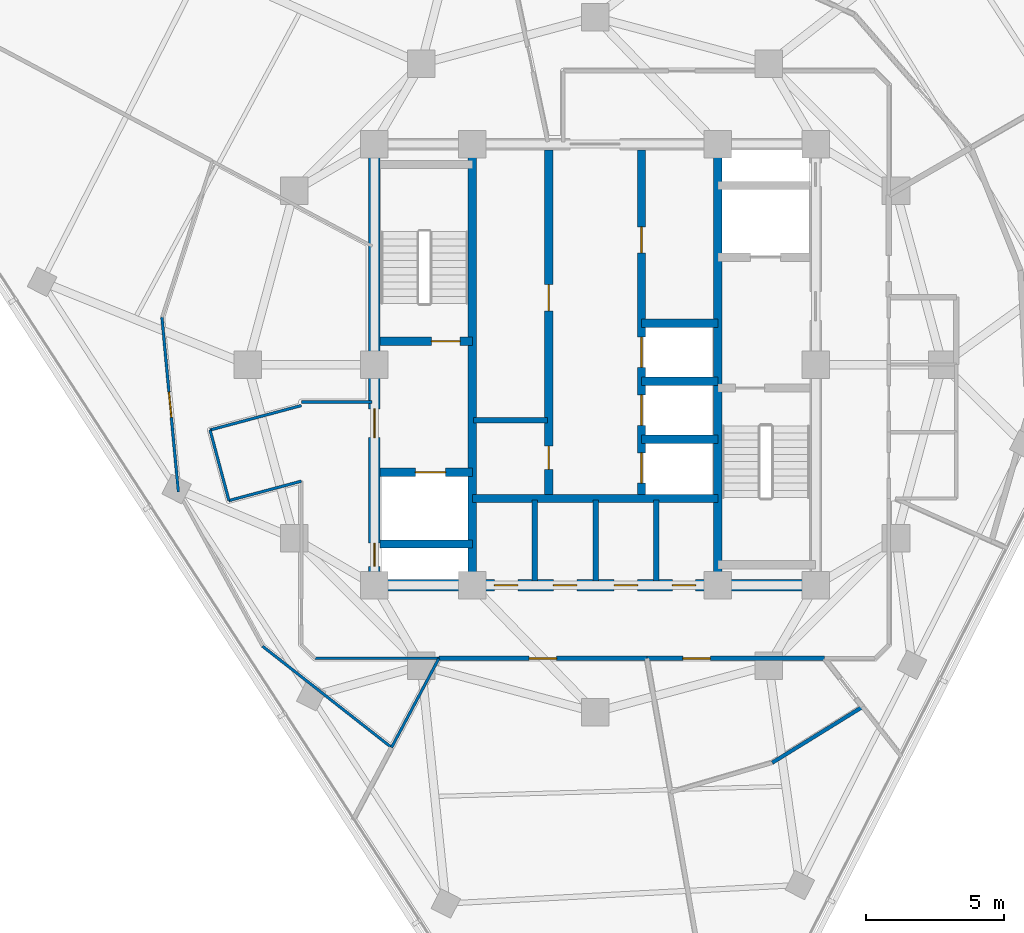
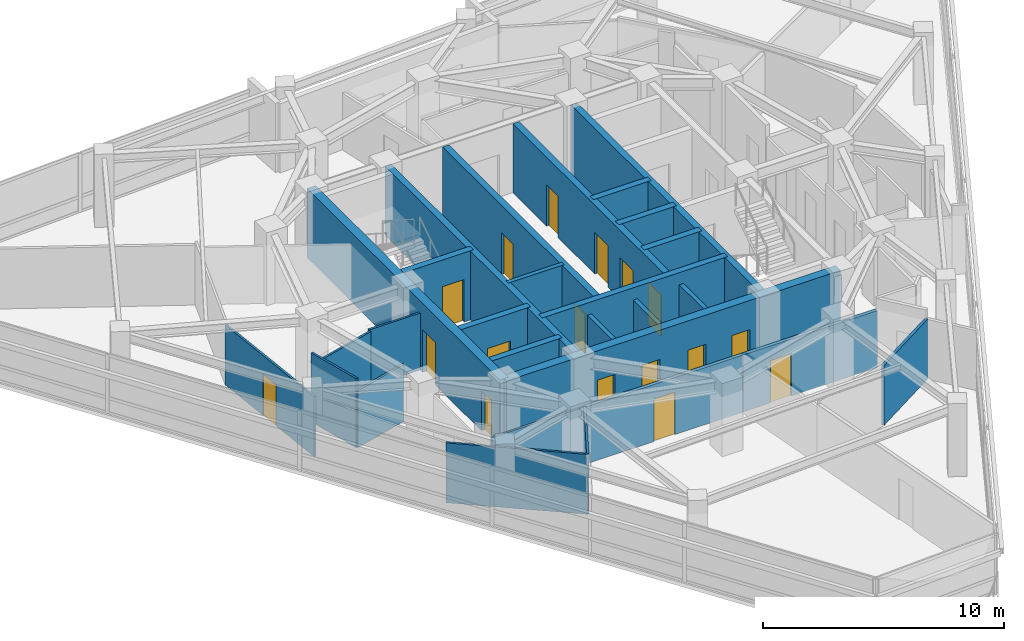
# One storey, part 8 of 15: 28 walls, 17 doors, 17 openings.
"""IFC4 building model written with IfcOpenShell, lengths in metres."""

from ifc_helpers import new_model, si_unit, direction, frame, frame_2d, origin, place, context, subcontext, project, spatial, rectangle, extrude, material, layer, layer_set, type_object, element, fill, save


model = new_model("IFC4")

# Units and contexts
model_context = context("Model", 3, precision=1e-05, world=origin(), true_north=direction((0.0, 1.0)))
body_context = subcontext(model_context, "Body", "Model", "MODEL_VIEW")
ifc_project = project(units=[si_unit("LENGTHUNIT", "METRE"), si_unit("AREAUNIT", "SQUARE_METRE"), si_unit("VOLUMEUNIT", "CUBIC_METRE"), si_unit("PLANEANGLEUNIT", "RADIAN"), si_unit("MASSUNIT", "GRAM", prefix="KILO")], contexts=[model_context])

# Site, building, storey
site_placement = place(None, origin())
site = spatial("IfcSite", under=ifc_project, at=site_placement, CompositionType="ELEMENT")
building_placement = place(site_placement, origin())
building = spatial("IfcBuilding", under=site, at=building_placement, Name="Terralouvre Media Tower", CompositionType="ELEMENT")
storey_placement = place(building_placement, frame((0.0, 0.0, 270.699951171875)))
storey = spatial("IfcBuildingStorey", under=building, at=storey_placement, Name="L70", CompositionType="ELEMENT", Elevation=270.699951171875)

# Walls
ifc_material_1 = material(Name="Concrete C50/60", Category="concrete")
ifc_layer_1 = layer(ifc_material_1, 0.300048828125, Name="Core Internal Shaft Wall CW-300")
ifc_layer_set_1 = layer_set([ifc_layer_1], Name="Concrete C50/60")
wall_type_1 = type_object("IfcWallType", Name="Core Internal Shaft Wall CW-300", PredefinedType="SHEAR", material=ifc_layer_set_1)
for number, where, z_axis, x_axis, name in (
    (1, (-4.449951171875, -7.7900390625, 0.0), (0.0, 0.0, 1.0), (0.0, 1.0, 0.0), "L70 Core Shaft Wall SPW"),
    (2, (4.449951171875, -7.7900390625, 0.0), (0.0, 0.0, 1.0), (0.0, 1.0, 0.0), "L70 Core Shaft Wall SPE"),
):
    element("IfcWall", number, at=place(storey_placement, frame(where, z_axis=z_axis, x_axis=x_axis)), inside=storey, type_object=wall_type_1, Name=name, PredefinedType="SHEAR", context=body_context, shape_type="SweptSolid", body=[
        extrude(rectangle(XDim=15.580078125, YDim=0.300048828125, at=frame_2d((7.7900390625, 0.0))), origin(), (0.0, 0.0, 1.0), 3.5),
    ])

# Wall, opening, door
wall_1_placement = place(storey_placement, frame((-7.7900390625, 0.85009765625, 0.0), z_axis=(0.0, 0.0, 1.0), x_axis=(1.0, 0.0, 0.0)))
wall_1 = element("IfcWall", 3, at=wall_1_placement, inside=storey, type_object=wall_type_1, Name="L70 Core Shaft Wall ST1D", PredefinedType="SHEAR", context=body_context, shape_type="SweptSolid", body=[
    extrude(rectangle(XDim=3.340087890625, YDim=0.300048828125, at=frame_2d((1.669921875, 0.0))), origin(), (0.0, 0.0, 1.0), 3.5),
])
opening_1_placement = place(wall_1_placement, frame((1.85009765625, 0.0, 0.0)))
opening_1 = element("IfcOpeningElement", 4, at=opening_1_placement, cuts=wall_1, Name="Opening FD-01-105X215", PredefinedType="OPENING", context=body_context, shape_type="SweptSolid", body=[
    extrude(rectangle(XDim=1.050048828125, YDim=2.14990234375, at=frame_2d((0.52490234375, 1.074951171875))), frame((0.0, 0.159912109375, 0.0), z_axis=(0.0, -1.0, 0.0), x_axis=(1.0, 0.0, 0.0)), (0.0, 0.0, 1.0), 0.320068359375),
])
ifc_material_2 = material(Name="Galvanised steel fire-resisting leaf", Category="steel")
door_type_1 = type_object("IfcDoorType", Name="Stair and Firefighting Lobby Fire Door FD-01 (1050x2150)", OperationType="NOTDEFINED", PredefinedType="DOOR", material=ifc_material_2)
door_1_placement = place(opening_1_placement, origin())
door_1 = element("IfcDoor", 5, at=door_1_placement, inside=storey, type_object=door_type_1, Name="L70 ST-01 Exit Stair Door", OperationType="SINGLE_SWING_LEFT", OverallHeight=2.14990234375, OverallWidth=1.050048828125, PredefinedType="DOOR", context=body_context, shape_type="SweptSolid", body=[
    extrude(rectangle(XDim=1.050048828125, YDim=2.14990234375, at=frame_2d((0.52490234375, 1.074951171875))), frame((0.0, 0.02490234375, 0.0), z_axis=(0.0, -1.0, 0.0), x_axis=(1.0, 0.0, 0.0)), (0.0, 0.0, 1.0), 0.050048828125),
])
fill(opening_1, door_1)

wall_2_placement = place(storey_placement, frame((-7.7900390625, -3.89990234375, 0.0), z_axis=(0.0, 0.0, 1.0), x_axis=(1.0, 0.0, 0.0)))
wall_2 = element("IfcWall", 6, at=wall_2_placement, inside=storey, type_object=wall_type_1, Name="L70 Core Shaft Wall FF1N", PredefinedType="SHEAR", context=body_context, shape_type="SweptSolid", body=[
    extrude(rectangle(XDim=3.340087890625, YDim=0.300048828125, at=frame_2d((1.669921875, 0.0))), origin(), (0.0, 0.0, 1.0), 3.5),
])
opening_2_placement = place(wall_2_placement, frame((1.27001953125, 0.0, 0.0)))
opening_2 = element("IfcOpeningElement", 7, at=opening_2_placement, cuts=wall_2, Name="Opening LD-FF", PredefinedType="OPENING", context=body_context, shape_type="SweptSolid", body=[
    extrude(rectangle(XDim=1.10009765625, YDim=2.10009765625, at=frame_2d((0.550048828125, 1.050048828125))), frame((0.0, 0.159912109375, 0.0), z_axis=(0.0, -1.0, 0.0), x_axis=(1.0, 0.0, 0.0)), (0.0, 0.0, 1.0), 0.320068359375),
])
ifc_material_3 = material(Name="Stainless steel 316 handrail and balustrade", Category="steel")
door_type_2 = type_object("IfcDoorType", Name="Firefighting Lift Sliding Landing Door LD-FF", OperationType="SLIDING_TO_LEFT", PredefinedType="DOOR", material=ifc_material_3)
door_2_placement = place(opening_2_placement, origin())
door_2 = element("IfcDoor", 8, at=door_2_placement, inside=storey, type_object=door_type_2, Name="L70 Firefighting Lift FFL-01 Landing Door", OperationType="SLIDING_TO_LEFT", OverallHeight=2.10009765625, OverallWidth=1.10009765625, PredefinedType="DOOR", context=body_context, shape_type="SweptSolid", body=[
    extrude(rectangle(XDim=1.10009765625, YDim=2.10009765625, at=frame_2d((0.550048828125, 1.050048828125))), frame((0.0, 0.02490234375, 0.0), z_axis=(0.0, -1.0, 0.0), x_axis=(1.0, 0.0, 0.0)), (0.0, 0.0, 1.0), 0.050048828125),
])
fill(opening_2, door_2)

# Walls
wall_3_placement = place(storey_placement, frame((-7.7900390625, -6.5, 0.0), z_axis=(0.0, 0.0, 1.0), x_axis=(1.0, 0.0, 0.0)))
element("IfcWall", 9, at=wall_3_placement, inside=storey, type_object=wall_type_1, Name="L70 Core Shaft Wall FF1S", PredefinedType="SHEAR", context=body_context, shape_type="SweptSolid", body=[
    extrude(rectangle(XDim=3.340087890625, YDim=0.300048828125, at=frame_2d((1.669921875, 0.0))), origin(), (0.0, 0.0, 1.0), 3.5),
])
wall_4_placement = place(storey_placement, frame((-4.449951171875, -4.85009765625, 0.0), z_axis=(0.0, 0.0, 1.0), x_axis=(1.0, 0.0, 0.0)))
element("IfcWall", 10, at=wall_4_placement, inside=storey, type_object=wall_type_1, Name="L70 Core Shaft Wall CSBN", PredefinedType="SHEAR", context=body_context, shape_type="SweptSolid", body=[
    extrude(rectangle(XDim=8.89990234375, YDim=0.300048828125, at=frame_2d((4.449951171875, 0.0))), origin(), (0.0, 0.0, 1.0), 3.5),
])

# Wall, openings, doors
wall_5_placement = place(storey_placement, frame((-1.679931640625, -4.85009765625, 0.0), z_axis=(0.0, 0.0, 1.0), x_axis=(0.0, 1.0, 0.0)))
wall_5 = element("IfcWall", 11, at=wall_5_placement, inside=storey, type_object=wall_type_1, Name="L70 Core Shaft Wall LBW", PredefinedType="SHEAR", context=body_context, shape_type="SweptSolid", body=[
    extrude(rectangle(XDim=12.64013671875, YDim=0.300048828125, at=frame_2d((6.320068359375, 0.0))), origin(), (0.0, 0.0, 1.0), 3.5),
])
opening_3_placement = place(wall_5_placement, frame((1.050048828125, 0.0, 0.0)))
opening_3 = element("IfcOpeningElement", 12, at=opening_3_placement, cuts=wall_5, Name="Opening TD-R1", PredefinedType="OPENING", context=body_context, shape_type="SweptSolid", body=[
    extrude(rectangle(XDim=0.85009765625, YDim=2.02001953125, at=frame_2d((0.425048828125, 1.010009765625))), frame((0.0, 0.159912109375, 0.0), z_axis=(0.0, -1.0, 0.0), x_axis=(1.0, 0.0, 0.0)), (0.0, 0.0, 1.0), 0.320068359375),
])
opening_4_placement = place(wall_5_placement, frame((6.800048828125, 0.0, 0.0)))
opening_4 = element("IfcOpeningElement", 13, at=opening_4_placement, cuts=wall_5, Name="Opening FD-02-95X210", PredefinedType="OPENING", context=body_context, shape_type="SweptSolid", body=[
    extrude(rectangle(XDim=0.949951171875, YDim=2.10009765625, at=frame_2d((0.47509765625, 1.050048828125))), frame((0.0, 0.159912109375, 0.0), z_axis=(0.0, -1.0, 0.0), x_axis=(1.0, 0.0, 0.0)), (0.0, 0.0, 1.0), 0.320068359375),
])
ifc_material_4 = material(Name="Galvanised steel fire-resisting leaf", Category="steel")
door_type_3 = type_object("IfcDoorType", Name="Plant and Riser Fire Door FD-02 (950x2100)", OperationType="NOTDEFINED", PredefinedType="DOOR", material=ifc_material_4)
door_3_placement = place(opening_4_placement, origin())
door_3 = element("IfcDoor", 14, at=door_3_placement, inside=storey, type_object=door_type_3, Name="L70 Core Patch Rack Plant Door", OperationType="SINGLE_SWING_RIGHT", OverallHeight=2.10009765625, OverallWidth=0.949951171875, PredefinedType="DOOR", context=body_context, shape_type="SweptSolid", body=[
    extrude(rectangle(XDim=0.949951171875, YDim=2.10009765625, at=frame_2d((0.47509765625, 1.050048828125))), frame((0.0, 0.02490234375, 0.0), z_axis=(0.0, -1.0, 0.0), x_axis=(1.0, 0.0, 0.0)), (0.0, 0.0, 1.0), 0.050048828125),
])
fill(opening_4, door_3)
ifc_material_5 = material(Name="Galvanised steel fire-resisting leaf", Category="steel")
door_type_4 = type_object("IfcDoorType", Name="Riser Inspection Access Trapdoor TD-R1", OperationType="NOTDEFINED", PredefinedType="TRAPDOOR", material=ifc_material_5)
door_4_placement = place(opening_3_placement, origin())
door_4 = element("IfcDoor", 15, at=door_4_placement, inside=storey, type_object=door_type_4, Name="L70 Core Cleaners Store Door", OperationType="SINGLE_SWING_LEFT", OverallHeight=2.02001953125, OverallWidth=0.85009765625, PredefinedType="TRAPDOOR", context=body_context, shape_type="SweptSolid", body=[
    extrude(rectangle(XDim=0.85009765625, YDim=2.02001953125, at=frame_2d((0.425048828125, 1.010009765625))), frame((0.0, 0.02490234375, 0.0), z_axis=(0.0, -1.0, 0.0), x_axis=(1.0, 0.0, 0.0)), (0.0, 0.0, 1.0), 0.050048828125),
])
fill(opening_3, door_4)

wall_6_placement = place(storey_placement, frame((1.679931640625, -4.85009765625, 0.0), z_axis=(0.0, 0.0, 1.0), x_axis=(0.0, 1.0, 0.0)))
wall_6 = element("IfcWall", 16, at=wall_6_placement, inside=storey, type_object=wall_type_1, Name="L70 Core Shaft Wall LBE", PredefinedType="SHEAR", context=body_context, shape_type="SweptSolid", body=[
    extrude(rectangle(XDim=12.64013671875, YDim=0.300048828125, at=frame_2d((6.320068359375, 0.0))), origin(), (0.0, 0.0, 1.0), 3.5),
])
opening_5_placement = place(wall_6_placement, frame((0.550048828125, 0.0, 0.0)))
opening_5 = element("IfcOpeningElement", 17, at=opening_5_placement, cuts=wall_6, Name="Opening LD-PL", PredefinedType="OPENING", context=body_context, shape_type="SweptSolid", body=[
    extrude(rectangle(XDim=1.10009765625, YDim=2.10009765625, at=frame_2d((0.550048828125, 1.050048828125))), frame((0.0, 0.159912109375, 0.0), z_axis=(0.0, -1.0, 0.0), x_axis=(1.0, 0.0, 0.0)), (0.0, 0.0, 1.0), 0.320068359375),
])
opening_6_placement = place(wall_6_placement, frame((2.64990234375, 0.0, 0.0)))
opening_6 = element("IfcOpeningElement", 18, at=opening_6_placement, cuts=wall_6, Name="Opening LD-PL", PredefinedType="OPENING", context=body_context, shape_type="SweptSolid", body=[
    extrude(rectangle(XDim=1.10009765625, YDim=2.10009765625, at=frame_2d((0.550048828125, 1.050048828125))), frame((0.0, 0.159912109375, 0.0), z_axis=(0.0, -1.0, 0.0), x_axis=(1.0, 0.0, 0.0)), (0.0, 0.0, 1.0), 0.320068359375),
])
opening_7_placement = place(wall_6_placement, frame((4.75, 0.0, 0.0)))
opening_7 = element("IfcOpeningElement", 19, at=opening_7_placement, cuts=wall_6, Name="Opening LD-PL", PredefinedType="OPENING", context=body_context, shape_type="SweptSolid", body=[
    extrude(rectangle(XDim=1.10009765625, YDim=2.10009765625, at=frame_2d((0.550048828125, 1.050048828125))), frame((0.0, 0.159912109375, 0.0), z_axis=(0.0, -1.0, 0.0), x_axis=(1.0, 0.0, 0.0)), (0.0, 0.0, 1.0), 0.320068359375),
])
opening_8_placement = place(wall_6_placement, frame((8.89990234375, 0.0, 0.0)))
opening_8 = element("IfcOpeningElement", 20, at=opening_8_placement, cuts=wall_6, Name="Opening FD-02-95X210", PredefinedType="OPENING", context=body_context, shape_type="SweptSolid", body=[
    extrude(rectangle(XDim=0.949951171875, YDim=2.10009765625, at=frame_2d((0.47509765625, 1.050048828125))), frame((0.0, 0.159912109375, 0.0), z_axis=(0.0, -1.0, 0.0), x_axis=(1.0, 0.0, 0.0)), (0.0, 0.0, 1.0), 0.320068359375),
])
ifc_material_6 = material(Name="Stainless steel 316 handrail and balustrade", Category="steel")
door_type_5 = type_object("IfcDoorType", Name="Passenger Lift Sliding Landing Door LD-PL", OperationType="SLIDING_TO_LEFT", PredefinedType="DOOR", material=ifc_material_6)
door_5_placement = place(opening_5_placement, origin())
door_5 = element("IfcDoor", 21, at=door_5_placement, inside=storey, type_object=door_type_5, Name="L70 High-Rise Lift PL-H1 Landing Door", OperationType="SLIDING_TO_LEFT", OverallHeight=2.10009765625, OverallWidth=1.10009765625, PredefinedType="DOOR", context=body_context, shape_type="SweptSolid", body=[
    extrude(rectangle(XDim=1.10009765625, YDim=2.10009765625, at=frame_2d((0.550048828125, 1.050048828125))), frame((0.0, 0.02490234375, 0.0), z_axis=(0.0, -1.0, 0.0), x_axis=(1.0, 0.0, 0.0)), (0.0, 0.0, 1.0), 0.050048828125),
])
fill(opening_5, door_5)
door_6_placement = place(opening_6_placement, origin())
door_6 = element("IfcDoor", 22, at=door_6_placement, inside=storey, type_object=door_type_5, Name="L70 High-Rise Lift PL-H2 Landing Door", OperationType="SLIDING_TO_LEFT", OverallHeight=2.10009765625, OverallWidth=1.10009765625, PredefinedType="DOOR", context=body_context, shape_type="SweptSolid", body=[
    extrude(rectangle(XDim=1.10009765625, YDim=2.10009765625, at=frame_2d((0.550048828125, 1.050048828125))), frame((0.0, 0.02490234375, 0.0), z_axis=(0.0, -1.0, 0.0), x_axis=(1.0, 0.0, 0.0)), (0.0, 0.0, 1.0), 0.050048828125),
])
fill(opening_6, door_6)
door_7_placement = place(opening_7_placement, origin())
door_7 = element("IfcDoor", 23, at=door_7_placement, inside=storey, type_object=door_type_5, Name="L70 High-Rise Lift PL-H3 Landing Door", OperationType="SLIDING_TO_LEFT", OverallHeight=2.10009765625, OverallWidth=1.10009765625, PredefinedType="DOOR", context=body_context, shape_type="SweptSolid", body=[
    extrude(rectangle(XDim=1.10009765625, YDim=2.10009765625, at=frame_2d((0.550048828125, 1.050048828125))), frame((0.0, 0.02490234375, 0.0), z_axis=(0.0, -1.0, 0.0), x_axis=(1.0, 0.0, 0.0)), (0.0, 0.0, 1.0), 0.050048828125),
])
fill(opening_7, door_7)
door_8_placement = place(opening_8_placement, origin())
door_8 = element("IfcDoor", 24, at=door_8_placement, inside=storey, type_object=door_type_3, Name="L70 Core AHU Sub-Plant Door", OperationType="SINGLE_SWING_LEFT", OverallHeight=2.10009765625, OverallWidth=0.949951171875, PredefinedType="DOOR", context=body_context, shape_type="SweptSolid", body=[
    extrude(rectangle(XDim=0.949951171875, YDim=2.10009765625, at=frame_2d((0.47509765625, 1.050048828125))), frame((0.0, 0.02490234375, 0.0), z_axis=(0.0, -1.0, 0.0), x_axis=(1.0, 0.0, 0.0)), (0.0, 0.0, 1.0), 0.050048828125),
])
fill(opening_8, door_8)

# Walls
for number, where, z_axis, x_axis, name in (
    (25, (1.679931640625, 1.5, 0.0), (0.0, 0.0, 1.0), (1.0, 0.0, 0.0), "L70 Core Shaft Wall PLMBOT"),
    (26, (1.679931640625, -2.699951171875, 0.0), (0.0, 0.0, 1.0), (1.0, 0.0, 0.0), "L70 Core Shaft Wall PLHD1"),
    (27, (1.679931640625, -0.60009765625, 0.0), (0.0, 0.0, 1.0), (1.0, 0.0, 0.0), "L70 Core Shaft Wall PLHD2"),
):
    element("IfcWall", number, at=place(storey_placement, frame(where, z_axis=z_axis, x_axis=x_axis)), inside=storey, type_object=wall_type_1, Name=name, PredefinedType="SHEAR", context=body_context, shape_type="SweptSolid", body=[
        extrude(rectangle(XDim=2.77001953125, YDim=0.300048828125, at=frame_2d((1.385009765625, 0.0))), origin(), (0.0, 0.0, 1.0), 3.5),
    ])

# Wall, openings, doors
ifc_material_7 = material(Name="Concrete C60/75", Category="concrete")
ifc_layer_2 = layer(ifc_material_7, 0.419921875, Name="Core Reinforced Concrete Shear Wall CW-420")
ifc_layer_set_2 = layer_set([ifc_layer_2], Name="Concrete C60/75")
wall_type_2 = type_object("IfcWallType", Name="Core Reinforced Concrete Shear Wall CW-420", PredefinedType="SHEAR", material=ifc_layer_set_2)
wall_7_placement = place(storey_placement, frame((-8.0, -8.0, 0.0), z_axis=(0.0, 0.0, 1.0), x_axis=(0.0, 1.0, 0.0)))
wall_7 = element("IfcWall", 28, at=wall_7_placement, inside=storey, type_object=wall_type_2, Name="L70 W Core Shear Wall", PredefinedType="SHEAR", context=body_context, shape_type="SweptSolid", body=[
    extrude(rectangle(XDim=16.0, YDim=0.419921875, at=frame_2d((8.0, 0.0))), origin(), (0.0, 0.0, 1.0), 3.5),
])
opening_9_placement = place(wall_7_placement, frame((0.68115234375, 0.0, 0.0)))
opening_9 = element("IfcOpeningElement", 29, at=opening_9_placement, cuts=wall_7, Name="Opening TD-R1", PredefinedType="OPENING", context=body_context, shape_type="SweptSolid", body=[
    extrude(rectangle(XDim=0.85009765625, YDim=2.02001953125, at=frame_2d((0.425048828125, 1.010009765625))), frame((0.0, 0.219970703125, 0.0), z_axis=(0.0, -1.0, 0.0), x_axis=(1.0, 0.0, 0.0)), (0.0, 0.0, 1.0), 0.43994140625),
])
opening_10_placement = place(wall_7_placement, frame((5.35009765625, 0.0, 0.0)))
opening_10 = element("IfcOpeningElement", 30, at=opening_10_placement, cuts=wall_7, Name="Opening FD-01-105X215", PredefinedType="OPENING", context=body_context, shape_type="SweptSolid", body=[
    extrude(rectangle(XDim=1.050048828125, YDim=2.14990234375, at=frame_2d((0.52490234375, 1.074951171875))), frame((0.0, 0.219970703125, 0.0), z_axis=(0.0, -1.0, 0.0), x_axis=(1.0, 0.0, 0.0)), (0.0, 0.0, 1.0), 0.43994140625),
])
door_9_placement = place(opening_9_placement, origin())
door_9 = element("IfcDoor", 31, at=door_9_placement, inside=storey, type_object=door_type_4, Name="L70 Wet Riser Access Trapdoor", OperationType="SINGLE_SWING_LEFT", OverallHeight=2.02001953125, OverallWidth=0.85009765625, PredefinedType="TRAPDOOR", context=body_context, shape_type="SweptSolid", body=[
    extrude(rectangle(XDim=0.85009765625, YDim=2.02001953125, at=frame_2d((0.425048828125, 1.010009765625))), frame((0.0, 0.02490234375, 0.0), z_axis=(0.0, -1.0, 0.0), x_axis=(1.0, 0.0, 0.0)), (0.0, 0.0, 1.0), 0.050048828125),
])
fill(opening_9, door_9)
door_10_placement = place(opening_10_placement, origin())
door_10 = element("IfcDoor", 32, at=door_10_placement, inside=storey, type_object=door_type_1, Name="L70 West Firefighting Lobby Entry Door", OperationType="SINGLE_SWING_RIGHT", OverallHeight=2.14990234375, OverallWidth=1.050048828125, PredefinedType="DOOR", context=body_context, shape_type="SweptSolid", body=[
    extrude(rectangle(XDim=1.050048828125, YDim=2.14990234375, at=frame_2d((0.52490234375, 1.074951171875))), frame((0.0, 0.02490234375, 0.0), z_axis=(0.0, -1.0, 0.0), x_axis=(1.0, 0.0, 0.0)), (0.0, 0.0, 1.0), 0.050048828125),
])
fill(opening_10, door_10)

wall_8_placement = place(storey_placement, frame((-8.0, -8.0, 0.0), z_axis=(0.0, 0.0, 1.0), x_axis=(1.0, 0.0, 0.0)))
wall_8 = element("IfcWall", 33, at=wall_8_placement, inside=storey, type_object=wall_type_2, Name="L70 S Core Shear Wall", PredefinedType="SHEAR", context=body_context, shape_type="SweptSolid", body=[
    extrude(rectangle(XDim=16.0, YDim=0.419921875, at=frame_2d((8.0, 0.0))), origin(), (0.0, 0.0, 1.0), 3.5),
])
opening_11_placement = place(wall_8_placement, frame((4.35009765625, 0.0, 0.0)))
opening_11 = element("IfcOpeningElement", 34, at=opening_11_placement, cuts=wall_8, Name="Opening TD-R1", PredefinedType="OPENING", context=body_context, shape_type="SweptSolid", body=[
    extrude(rectangle(XDim=0.85009765625, YDim=2.02001953125, at=frame_2d((0.425048828125, 1.010009765625))), frame((0.0, 0.219970703125, 0.0), z_axis=(0.0, -1.0, 0.0), x_axis=(1.0, 0.0, 0.0)), (0.0, 0.0, 1.0), 0.43994140625),
])
opening_12_placement = place(wall_8_placement, frame((6.489990234375, 0.0, 0.0)))
opening_12 = element("IfcOpeningElement", 35, at=opening_12_placement, cuts=wall_8, Name="Opening TD-R1", PredefinedType="OPENING", context=body_context, shape_type="SweptSolid", body=[
    extrude(rectangle(XDim=0.85009765625, YDim=2.02001953125, at=frame_2d((0.425048828125, 1.010009765625))), frame((0.0, 0.219970703125, 0.0), z_axis=(0.0, -1.0, 0.0), x_axis=(1.0, 0.0, 0.0)), (0.0, 0.0, 1.0), 0.43994140625),
])
opening_13_placement = place(wall_8_placement, frame((8.68994140625, 0.0, 0.0)))
opening_13 = element("IfcOpeningElement", 36, at=opening_13_placement, cuts=wall_8, Name="Opening TD-R1", PredefinedType="OPENING", context=body_context, shape_type="SweptSolid", body=[
    extrude(rectangle(XDim=0.85009765625, YDim=2.02001953125, at=frame_2d((0.425048828125, 1.010009765625))), frame((0.0, 0.219970703125, 0.0), z_axis=(0.0, -1.0, 0.0), x_axis=(1.0, 0.0, 0.0)), (0.0, 0.0, 1.0), 0.43994140625),
])
opening_14_placement = place(wall_8_placement, frame((10.800048828125, 0.0, 0.0)))
opening_14 = element("IfcOpeningElement", 37, at=opening_14_placement, cuts=wall_8, Name="Opening TD-R1", PredefinedType="OPENING", context=body_context, shape_type="SweptSolid", body=[
    extrude(rectangle(XDim=0.85009765625, YDim=2.02001953125, at=frame_2d((0.425048828125, 1.010009765625))), frame((0.0, 0.219970703125, 0.0), z_axis=(0.0, -1.0, 0.0), x_axis=(1.0, 0.0, 0.0)), (0.0, 0.0, 1.0), 0.43994140625),
])
door_11_placement = place(opening_11_placement, origin())
door_11 = element("IfcDoor", 38, at=door_11_placement, inside=storey, type_object=door_type_4, Name="L70 Core Battery Plant Door", OperationType="SINGLE_SWING_LEFT", OverallHeight=2.02001953125, OverallWidth=0.85009765625, PredefinedType="TRAPDOOR", context=body_context, shape_type="SweptSolid", body=[
    extrude(rectangle(XDim=0.85009765625, YDim=2.02001953125, at=frame_2d((0.425048828125, 1.010009765625))), frame((0.0, 0.02490234375, 0.0), z_axis=(0.0, -1.0, 0.0), x_axis=(1.0, 0.0, 0.0)), (0.0, 0.0, 1.0), 0.050048828125),
])
fill(opening_11, door_11)
door_12_placement = place(opening_12_placement, origin())
door_12 = element("IfcDoor", 39, at=door_12_placement, inside=storey, type_object=door_type_4, Name="L70 Core IT Patch Plant Door", OperationType="SINGLE_SWING_RIGHT", OverallHeight=2.02001953125, OverallWidth=0.85009765625, PredefinedType="TRAPDOOR", context=body_context, shape_type="SweptSolid", body=[
    extrude(rectangle(XDim=0.85009765625, YDim=2.02001953125, at=frame_2d((0.425048828125, 1.010009765625))), frame((0.0, 0.02490234375, 0.0), z_axis=(0.0, -1.0, 0.0), x_axis=(1.0, 0.0, 0.0)), (0.0, 0.0, 1.0), 0.050048828125),
])
fill(opening_12, door_12)
door_13_placement = place(opening_13_placement, origin())
door_13 = element("IfcDoor", 40, at=door_13_placement, inside=storey, type_object=door_type_4, Name="L70 Core Housekeeping Store Door", OperationType="SINGLE_SWING_LEFT", OverallHeight=2.02001953125, OverallWidth=0.85009765625, PredefinedType="TRAPDOOR", context=body_context, shape_type="SweptSolid", body=[
    extrude(rectangle(XDim=0.85009765625, YDim=2.02001953125, at=frame_2d((0.425048828125, 1.010009765625))), frame((0.0, 0.02490234375, 0.0), z_axis=(0.0, -1.0, 0.0), x_axis=(1.0, 0.0, 0.0)), (0.0, 0.0, 1.0), 0.050048828125),
])
fill(opening_13, door_13)
door_14_placement = place(opening_14_placement, origin())
door_14 = element("IfcDoor", 41, at=door_14_placement, inside=storey, type_object=door_type_4, Name="L70 Core Smoke Damper Plant Door", OperationType="SINGLE_SWING_RIGHT", OverallHeight=2.02001953125, OverallWidth=0.85009765625, PredefinedType="TRAPDOOR", context=body_context, shape_type="SweptSolid", body=[
    extrude(rectangle(XDim=0.85009765625, YDim=2.02001953125, at=frame_2d((0.425048828125, 1.010009765625))), frame((0.0, 0.02490234375, 0.0), z_axis=(0.0, -1.0, 0.0), x_axis=(1.0, 0.0, 0.0)), (0.0, 0.0, 1.0), 0.050048828125),
])
fill(opening_14, door_14)

# Walls
ifc_material_8 = material(Name="Low-iron laminated double glazing with solar-control coating", Category="glass")
ifc_layer_3 = layer(ifc_material_8, 0.10009765625, Name="Demountable Glazed Office Partition PT-GL100")
ifc_layer_set_3 = layer_set([ifc_layer_3], Name="Low-iron laminated double glazing with solar-control coating")
wall_type_3 = type_object("IfcWallType", Name="Demountable Glazed Office Partition PT-GL100", PredefinedType="MOVABLE", material=ifc_layer_set_3)
wall_9_placement = place(storey_placement, frame((-8.080078125, -1.35009765625, 0.0), z_axis=(0.0, 0.0, 1.0), x_axis=(-1.0, 0.0, 0.0)))
element("IfcWall", 42, at=wall_9_placement, inside=storey, type_object=wall_type_3, Name="L70 Interior Partition 001", PredefinedType="MOVABLE", context=body_context, shape_type="SweptSolid", body=[
    extrude(rectangle(XDim=2.56982421875, YDim=0.10009765625, at=frame_2d((1.284912109375, 0.0))), origin(), (0.0, 0.0, 1.0), 2.885009765625),
])
wall_10_placement = place(storey_placement, frame((-10.64990234375, -1.48193359375, 0.0), z_axis=(0.0, 0.0, 1.0), x_axis=(-0.965961397105, -0.2586862565, 0.0)))
element("IfcWall", 43, at=wall_10_placement, inside=storey, type_object=wall_type_3, Name="L70 Interior Partition 002", PredefinedType="MOVABLE", context=body_context, shape_type="SweptSolid", body=[
    extrude(rectangle(XDim=3.4287109375, YDim=0.10009765625, at=frame_2d((1.71435546875, 0.0))), origin(), (0.0, 0.0, 1.0), 2.885009765625),
])
wall_11_placement = place(storey_placement, frame((-13.9619140625, -2.368896484375, 0.0), z_axis=(0.0, 0.0, 1.0), x_axis=(0.258413725385, -0.966034340245, 0.0)))
element("IfcWall", 44, at=wall_11_placement, inside=storey, type_object=wall_type_3, Name="L70 Interior Partition 003", PredefinedType="MOVABLE", context=body_context, shape_type="SweptSolid", body=[
    extrude(rectangle(XDim=2.650146484375, YDim=0.10009765625, at=frame_2d((1.3251953125, 0.0))), origin(), (0.0, 0.0, 1.0), 3.5),
])
wall_12_placement = place(storey_placement, frame((-13.277099609375, -4.928955078125, 0.0), z_axis=(0.0, 0.0, 1.0), x_axis=(0.965934830229, 0.258785439601, 0.0)))
element("IfcWall", 45, at=wall_12_placement, inside=storey, type_object=wall_type_3, Name="L70 Interior Partition 004", PredefinedType="MOVABLE", context=body_context, shape_type="SweptSolid", body=[
    extrude(rectangle(XDim=2.719970703125, YDim=0.10009765625, at=frame_2d((1.35986328125, 0.0))), origin(), (0.0, 0.0, 1.0), 2.885009765625),
])
wall_13_placement = place(storey_placement, frame((-10.14990234375, -10.64990234375, 0.0), z_axis=(0.0, 0.0, 1.0), x_axis=(1.0, 0.0, 0.0)))
element("IfcWall", 46, at=wall_13_placement, inside=storey, type_object=wall_type_3, Name="L70 Interior Partition 007", PredefinedType="MOVABLE", context=body_context, shape_type="SweptSolid", body=[
    extrude(rectangle(XDim=4.48681640625, YDim=0.10009765625, at=frame_2d((2.243408203125, 0.0))), origin(), (0.0, 0.0, 1.0), 2.885009765625),
])
wall_14_placement = place(storey_placement, frame((-7.3798828125, -13.881103515625, 0.0), z_axis=(0.0, 0.0, 1.0), x_axis=(0.469202384294, 0.883090664979, 0.0)))
element("IfcWall", 47, at=wall_14_placement, inside=storey, type_object=wall_type_3, Name="L70 Interior Partition 021", PredefinedType="MOVABLE", context=body_context, shape_type="SweptSolid", body=[
    extrude(rectangle(XDim=3.658935546875, YDim=0.10009765625, at=frame_2d((1.82958984375, 0.0))), origin(), (0.0, 0.0, 1.0), 2.885009765625),
])

# Wall, opening, door
wall_15_placement = place(storey_placement, frame((-15.7060546875, 1.719970703125, 0.0), z_axis=(0.0, 0.0, 1.0), x_axis=(0.093602035829, -0.995609692042, 0.0)))
wall_15 = element("IfcWall", 48, at=wall_15_placement, inside=storey, type_object=wall_type_3, Name="L70 Interior Partition 024", PredefinedType="MOVABLE", context=body_context, shape_type="SweptSolid", body=[
    extrude(rectangle(XDim=6.36669921875, YDim=0.10009765625, at=frame_2d((3.183349609375, 0.0))), origin(), (0.0, 0.0, 1.0), 3.03515625),
])
opening_15_placement = place(wall_15_placement, frame((2.723388671875, 0.0, 0.0)))
opening_15 = element("IfcOpeningElement", 49, at=opening_15_placement, cuts=wall_15, Name="Opening ID-03-92X210", PredefinedType="OPENING", context=body_context, shape_type="SweptSolid", body=[
    extrude(rectangle(XDim=0.919921875, YDim=2.10009765625, at=frame_2d((0.4599609375, 1.050048828125))), frame((0.0, 0.06005859375, 0.0), z_axis=(0.0, -1.0, 0.0), x_axis=(1.0, 0.0, 0.0)), (0.0, 0.0, 1.0), 0.1201171875),
])
ifc_material_9 = material(Name="Engineered hardwood acoustic timber leaf", Category="wood")
door_type_6 = type_object("IfcDoorType", Name="Accessible Restroom and Suite Door ID-03 (920x2100)", OperationType="NOTDEFINED", PredefinedType="DOOR", material=ifc_material_9)
door_15_placement = place(opening_15_placement, origin())
door_15 = element("IfcDoor", 50, at=door_15_placement, inside=storey, type_object=door_type_6, Name="L70 Wardrobe Costume Closet 11 Door", OperationType="SINGLE_SWING_RIGHT", OverallHeight=2.10009765625, OverallWidth=0.919921875, PredefinedType="DOOR", context=body_context, shape_type="SweptSolid", body=[
    extrude(rectangle(XDim=0.919921875, YDim=2.10009765625, at=frame_2d((0.4599609375, 1.050048828125))), frame((0.0, 0.02490234375, 0.0), z_axis=(0.0, -1.0, 0.0), x_axis=(1.0, 0.0, 0.0)), (0.0, 0.0, 1.0), 0.050048828125),
])
fill(opening_15, door_15)

# Walls
wall_16_placement = place(storey_placement, frame((-12.05908203125, -10.208984375, 0.0), z_axis=(0.0, 0.0, 1.0), x_axis=(0.786677127243, -0.617364638989, 0.0)))
element("IfcWall", 51, at=wall_16_placement, inside=storey, type_object=wall_type_3, Name="L70 Interior Partition 026", PredefinedType="MOVABLE", context=body_context, shape_type="SweptSolid", body=[
    extrude(rectangle(XDim=5.947998046875, YDim=0.10009765625, at=frame_2d((2.97412109375, 0.0))), origin(), (0.0, 0.0, 1.0), 3.03515625),
])
ifc_material_10 = material(Name="Fire-rated gypsum board drywall partition")
ifc_layer_4 = layer(ifc_material_10, 0.199951171875, Name="Fire-Rated Shaft and Lobby Partition FW-200")
ifc_layer_set_4 = layer_set([ifc_layer_4], Name="Fire-rated gypsum board drywall partition")
wall_type_4 = type_object("IfcWallType", Name="Fire-Rated Shaft and Lobby Partition FW-200", PredefinedType="SOLIDWALL", material=ifc_layer_set_4)
for number, where, z_axis, x_axis, name in (
    (52, (-2.179931640625, -7.85009765625, 0.0), (0.0, 0.0, 1.0), (0.0, 1.0, 0.0), "L70 Core Service Bay Partition 1"),
    (53, (0.02001953125, -7.85009765625, 0.0), (0.0, 0.0, 1.0), (0.0, 1.0, 0.0), "L70 Core Service Bay Partition 2"),
    (54, (2.219970703125, -7.85009765625, 0.0), (0.0, 0.0, 1.0), (0.0, 1.0, 0.0), "L70 Core Service Bay Partition 3"),
):
    element("IfcWall", number, at=place(storey_placement, frame(where, z_axis=z_axis, x_axis=x_axis)), inside=storey, type_object=wall_type_4, Name=name, PredefinedType="SOLIDWALL", context=body_context, shape_type="SweptSolid", body=[
        extrude(rectangle(XDim=2.9501953125, YDim=0.199951171875, at=frame_2d((1.47509765625, 0.0))), origin(), (0.0, 0.0, 1.0), 2.885009765625),
    ])
wall_17_placement = place(storey_placement, frame((-4.39990234375, -2.010009765625, 0.0), z_axis=(0.0, 0.0, 1.0), x_axis=(1.0, 0.0, 0.0)))
element("IfcWall", 55, at=wall_17_placement, inside=storey, type_object=wall_type_4, Name="L70 Core West Sub-Partition 1", PredefinedType="SOLIDWALL", context=body_context, shape_type="SweptSolid", body=[
    extrude(rectangle(XDim=2.679931640625, YDim=0.199951171875, at=frame_2d((1.33984375, 0.0))), origin(), (0.0, 0.0, 1.0), 3.5),
])
ifc_material_11 = material(Name="Fire-rated gypsum board drywall partition")
ifc_layer_5 = layer(ifc_material_11, 0.135009765625, Name="Newsroom Acoustic Partition PT-135")
ifc_layer_set_5 = layer_set([ifc_layer_5], Name="Fire-rated gypsum board drywall partition")
wall_type_5 = type_object("IfcWallType", Name="Newsroom Acoustic Partition PT-135", PredefinedType="PARTITIONING", material=ifc_layer_set_5)
wall_18_placement = place(storey_placement, frame((9.696044921875, -12.410888671875, 0.0), z_axis=(0.0, 0.0, 1.0), x_axis=(-0.850393663863, -0.526146953295, 0.0)))
element("IfcWall", 56, at=wall_18_placement, inside=storey, type_object=wall_type_5, Name="L70 Interior Partition 030", PredefinedType="PARTITIONING", context=body_context, shape_type="SweptSolid", body=[
    extrude(rectangle(XDim=3.84521484375, YDim=0.135009765625, at=frame_2d((1.922607421875, 0.0))), origin(), (0.0, 0.0, 1.0), 3.03515625),
])

# Wall, opening, door
ifc_material_12 = material(Name="Fire-rated gypsum board drywall partition")
ifc_layer_6 = layer(ifc_material_12, 0.159912109375, Name="Studio Acoustic Rated Partition PT-160")
ifc_layer_set_6 = layer_set([ifc_layer_6], Name="Fire-rated gypsum board drywall partition")
wall_type_6 = type_object("IfcWallType", Name="Studio Acoustic Rated Partition PT-160", PredefinedType="PARTITIONING", material=ifc_layer_set_6)
wall_19_placement = place(storey_placement, frame((-5.6630859375, -10.64990234375, 0.0), z_axis=(0.0, 0.0, 1.0), x_axis=(1.0, 0.0, 0.0)))
wall_19 = element("IfcWall", 57, at=wall_19_placement, inside=storey, type_object=wall_type_6, Name="L70 Interior Partition 008", PredefinedType="PARTITIONING", context=body_context, shape_type="SweptSolid", body=[
    extrude(rectangle(XDim=7.541015625, YDim=0.159912109375, at=frame_2d((3.7705078125, 0.0))), origin(), (0.0, 0.0, 1.0), 2.885009765625),
])
opening_16_placement = place(wall_19_placement, frame((3.2705078125, 0.0, 0.0)))
opening_16 = element("IfcOpeningElement", 58, at=opening_16_placement, cuts=wall_19, Name="Opening ID-01-100X215", PredefinedType="OPENING", context=body_context, shape_type="SweptSolid", body=[
    extrude(rectangle(XDim=1.0, YDim=2.14990234375, at=frame_2d((0.5, 1.074951171875))), frame((0.0, 0.08984375, 0.0), z_axis=(0.0, -1.0, 0.0), x_axis=(1.0, 0.0, 0.0)), (0.0, 0.0, 1.0), 0.179931640625),
])
ifc_material_13 = material(Name="Engineered hardwood acoustic timber leaf", Category="wood")
door_type_7 = type_object("IfcDoorType", Name="Broadcast Studio Acoustic Single Door ID-01 (1000x2150)", OperationType="NOTDEFINED", PredefinedType="DOOR", material=ifc_material_13)
door_16_placement = place(opening_16_placement, origin())
door_16 = element("IfcDoor", 59, at=door_16_placement, inside=storey, type_object=door_type_7, Name="L70 Technical Operations Control Room 2 Door", OperationType="SINGLE_SWING_LEFT", OverallHeight=2.14990234375, OverallWidth=1.0, PredefinedType="DOOR", context=body_context, shape_type="SweptSolid", body=[
    extrude(rectangle(XDim=1.0, YDim=2.14990234375, at=frame_2d((0.5, 1.074951171875))), frame((0.0, 0.02490234375, 0.0), z_axis=(0.0, -1.0, 0.0), x_axis=(1.0, 0.0, 0.0)), (0.0, 0.0, 1.0), 0.050048828125),
])
fill(opening_16, door_16)

wall_20_placement = place(storey_placement, frame((1.8779296875, -10.64990234375, 0.0), z_axis=(0.0, 0.0, 1.0), x_axis=(1.0, 0.0, 0.0)))
wall_20 = element("IfcWall", 60, at=wall_20_placement, inside=storey, type_object=wall_type_6, Name="L70 Interior Partition 009", PredefinedType="PARTITIONING", context=body_context, shape_type="SweptSolid", body=[
    extrude(rectangle(XDim=6.443115234375, YDim=0.159912109375, at=frame_2d((3.2216796875, 0.0))), origin(), (0.0, 0.0, 1.0), 2.885009765625),
])
opening_17_placement = place(wall_20_placement, frame((1.303955078125, 0.0, 0.0)))
opening_17 = element("IfcOpeningElement", 61, at=opening_17_placement, cuts=wall_20, Name="Opening ID-01-100X215", PredefinedType="OPENING", context=body_context, shape_type="SweptSolid", body=[
    extrude(rectangle(XDim=1.0, YDim=2.14990234375, at=frame_2d((0.5, 1.074951171875))), frame((0.0, 0.08984375, 0.0), z_axis=(0.0, -1.0, 0.0), x_axis=(1.0, 0.0, 0.0)), (0.0, 0.0, 1.0), 0.179931640625),
])
door_17_placement = place(opening_17_placement, origin())
door_17 = element("IfcDoor", 62, at=door_17_placement, inside=storey, type_object=door_type_7, Name="L70 Director Master Control Room 4 Door", OperationType="SINGLE_SWING_RIGHT", OverallHeight=2.14990234375, OverallWidth=1.0, PredefinedType="DOOR", context=body_context, shape_type="SweptSolid", body=[
    extrude(rectangle(XDim=1.0, YDim=2.14990234375, at=frame_2d((0.5, 1.074951171875))), frame((0.0, 0.02490234375, 0.0), z_axis=(0.0, -1.0, 0.0), x_axis=(1.0, 0.0, 0.0)), (0.0, 0.0, 1.0), 0.050048828125),
])
fill(opening_17, door_17)

save(model, "model.ifc")
